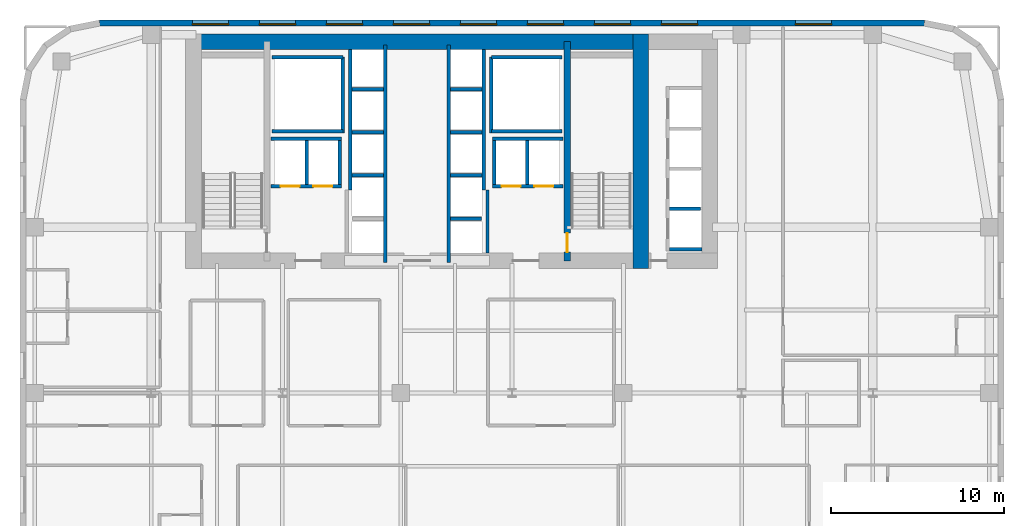
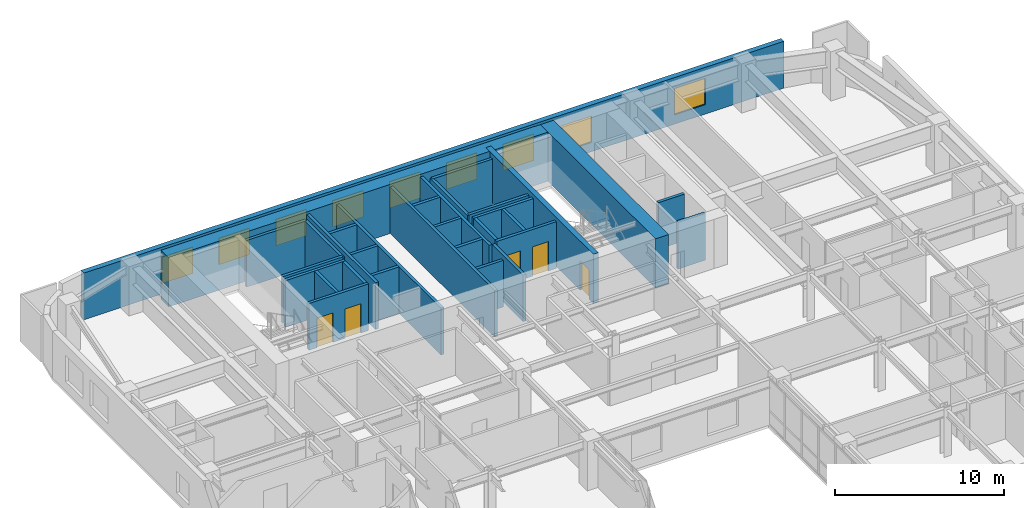
# One storey, part 14 of 16: 32 walls, 9 windows, 5 doors, 14 openings.
"""IFC4 building model written with IfcOpenShell, lengths in metres."""

from ifc_helpers import new_model, si_unit, direction, frame, frame_2d, origin, place, context, subcontext, project, spatial, rectangle, extrude, source, transform, mapped, material, layer, layer_set, type_object, type_shapes, element, fill, save


model = new_model("IFC4")

# Units and contexts
model_context = context("Model", 3, precision=1e-05, world=origin(), true_north=direction((0.0, 1.0)))
body_context = subcontext(model_context, "Body", "Model", "MODEL_VIEW")
ifc_project = project(units=[si_unit("LENGTHUNIT", "METRE"), si_unit("AREAUNIT", "SQUARE_METRE"), si_unit("VOLUMEUNIT", "CUBIC_METRE"), si_unit("PLANEANGLEUNIT", "RADIAN"), si_unit("MASSUNIT", "GRAM", prefix="KILO")], contexts=[model_context])

# Site, building, storey
site_placement = place(None, origin())
site = spatial("IfcSite", under=ifc_project, at=site_placement, CompositionType="ELEMENT")
building_placement = place(site_placement, origin())
building = spatial("IfcBuilding", under=site, at=building_placement, Name="Tolvann Quenvar Hotel", CompositionType="ELEMENT")
storey_placement = place(building_placement, frame((0.0, 0.0, 63.949951171875)))
storey = spatial("IfcBuildingStorey", under=building, at=storey_placement, Name="L15", CompositionType="ELEMENT", Elevation=63.949951171875)

# Walls
ifc_material_1 = material(Name="Concrete S80 (80 MPa)", Category="concrete")
ifc_layer_1 = layer(ifc_material_1, 0.89990234375)
ifc_layer_set_1 = layer_set([ifc_layer_1], Name="Concrete S80 (80 MPa)")
wall_type_1 = type_object("IfcWallType", Name="WALL_CORE_900", PredefinedType="SHEAR", material=ifc_layer_set_1)
wall_1_placement = place(storey_placement, frame((9.60009765625, 44.75, 0.0), z_axis=(0.0, 0.0, 1.0), x_axis=(1.0, 0.0, 0.0)))
element("IfcWall", 1, at=wall_1_placement, inside=storey, type_object=wall_type_1, Name="Rear Core N Shear Wall (L15)", PredefinedType="SHEAR", context=body_context, shape_type="SweptSolid", body=[
    extrude(rectangle(XDim=26.7998046875, YDim=0.89990234375, at=frame_2d((13.39990234375, 0.0))), origin(), (0.0, 0.0, 1.0), 3.550048828125),
])
wall_2_placement = place(storey_placement, frame((35.949951171875, 31.60009765625, 0.0), z_axis=(0.0, 0.0, 1.0), x_axis=(0.0, 1.0, 0.0)))
element("IfcWall", 2, at=wall_2_placement, inside=storey, type_object=wall_type_1, Name="Rear Core E Shear Wall (L15)", PredefinedType="SHEAR", context=body_context, shape_type="SweptSolid", body=[
    extrude(rectangle(XDim=13.599853515625, YDim=0.89990234375, at=frame_2d((6.7998046875, 0.0))), origin(), (0.0, 0.0, 1.0), 3.550048828125),
])

# Wall, opening, door
ifc_material_2 = material(Name="Concrete S65 (65 MPa)", Category="concrete")
ifc_layer_2 = layer(ifc_material_2, 0.35009765625)
ifc_layer_set_2 = layer_set([ifc_layer_2], Name="Concrete S65 (65 MPa)")
wall_type_2 = type_object("IfcWallType", Name="WALL_CORE_INT_350", PredefinedType="SHEAR", material=ifc_layer_set_2)
wall_3_placement = place(storey_placement, frame((31.699951171875, 32.050048828125, 0.0), z_axis=(0.0, 0.0, 1.0), x_axis=(0.0, 1.0, 0.0)))
wall_3 = element("IfcWall", 3, at=wall_3_placement, inside=storey, type_object=wall_type_2, Name="Core Internal Web Shear Wall WEB-E (L15)", PredefinedType="SHEAR", context=body_context, shape_type="SweptSolid", body=[
    extrude(rectangle(XDim=12.699951171875, YDim=0.35009765625, at=frame_2d((6.35009765625, 0.0))), origin(), (0.0, 0.0, 1.0), 3.550048828125),
])
opening_1_placement = place(wall_3_placement, frame((1.60009765625, 0.0, 0.0), z_axis=(0.0, 0.0, 1.0), x_axis=(-1.0, 0.0, 0.0)))
opening_1 = element("IfcOpeningElement", 4, at=opening_1_placement, cuts=wall_3, Name="Opening FD-120", PredefinedType="OPENING", context=body_context, shape_type="SweptSolid", body=[
    extrude(rectangle(XDim=1.10009765625, YDim=2.1201171875, at=frame_2d((0.550048828125, 1.06005859375))), frame((0.0, 0.18505859375, 0.0), z_axis=(0.0, -1.0, 0.0), x_axis=(1.0, 0.0, 0.0)), (0.0, 0.0, 1.0), 0.3701171875),
])
ifc_material_3 = material(Name="Pressed galvanised steel fire-rated door set", Category="steel")
door_type_1 = type_object("IfcDoorType", Name="DOOR_FIRE_STAIR_1100", OperationType="NOTDEFINED", PredefinedType="DOOR", material=ifc_material_3)
shared_shape_1 = source(origin(), body_context, "Body", "SweptSolid", [
    extrude(rectangle(XDim=1.10009765625, YDim=2.1201171875, at=frame_2d((0.550048828125, 1.06005859375))), frame((0.0, 0.02490234375, 0.0), z_axis=(0.0, -1.0, 0.0), x_axis=(1.0, 0.0, 0.0)), (0.0, 0.0, 1.0), 0.050048828125),
])
type_shapes(door_type_1, [shared_shape_1])
door_1_placement = place(opening_1_placement, origin())
door_1 = element("IfcDoor", 5, at=door_1_placement, inside=storey, type_object=door_type_1, Name="Exit Stair ST-C2 Fire Door (L15)", OperationType="SINGLE_SWING_LEFT", OverallHeight=2.1201171875, OverallWidth=1.10009765625, PredefinedType="DOOR", context=body_context, shape_type="MappedRepresentation", body=[
    mapped(shared_shape_1, transform((0.0, 0.0, 0.0), x_axis=(1.0, 0.0, 0.0), y_axis=(0.0, 1.0, 0.0), z_axis=(0.0, 0.0, 1.0), scale=1.0)),
])
fill(opening_1, door_1)

# Wall, openings, windows
ifc_material_4 = material(Name="Kiln-fired red and buff architectural clay brickwork and terracotta masonry", Category="masonry")
ifc_layer_3 = layer(ifc_material_4, 0.35009765625)
ifc_layer_set_3 = layer_set([ifc_layer_3], Name="Kiln-fired red and buff architectural clay brickwork and terracotta masonry")
wall_type_3 = type_object("IfcWallType", Name="WALL_EXT_BRICK_350", PredefinedType="SOLIDWALL", material=ifc_layer_set_3)
wall_4_placement = place(storey_placement, frame((52.3828125, 45.824951171875, 0.0), z_axis=(0.0, 0.0, 1.0), x_axis=(-1.0, 0.0, 0.0)))
wall_4 = element("IfcWall", 6, at=wall_4_placement, inside=storey, type_object=wall_type_3, Name="Exterior Chicago Brick Wall L15-E18", PredefinedType="SOLIDWALL", context=body_context, shape_type="SweptSolid", body=[
    extrude(rectangle(XDim=47.765625, YDim=0.35009765625, at=frame_2d((23.8828125, 0.0))), origin(), (0.0, 0.0, 1.0), 3.3701171875),
])
opening_2_placement = place(wall_4_placement, frame((5.37109375, 0.0, 0.679931640625)))
opening_2 = element("IfcOpeningElement", 7, at=opening_2_placement, cuts=wall_4, Name="Opening W-02", PredefinedType="OPENING", context=body_context, shape_type="SweptSolid", body=[
    extrude(rectangle(XDim=2.10009765625, YDim=1.89990234375, at=frame_2d((1.050048828125, 0.949951171875))), frame((0.0, 0.18505859375, 0.0), z_axis=(0.0, -1.0, 0.0), x_axis=(1.0, 0.0, 0.0)), (0.0, 0.0, 1.0), 0.3701171875),
])
opening_3_placement = place(wall_4_placement, frame((13.132080078125, 0.0, 0.679931640625)))
opening_3 = element("IfcOpeningElement", 8, at=opening_3_placement, cuts=wall_4, Name="Opening W-02", PredefinedType="OPENING", context=body_context, shape_type="SweptSolid", body=[
    extrude(rectangle(XDim=2.10009765625, YDim=1.89990234375, at=frame_2d((1.050048828125, 0.949951171875))), frame((0.0, 0.18505859375, 0.0), z_axis=(0.0, -1.0, 0.0), x_axis=(1.0, 0.0, 0.0)), (0.0, 0.0, 1.0), 0.3701171875),
])
opening_4_placement = place(wall_4_placement, frame((17.011962890625, 0.0, 0.679931640625)))
opening_4 = element("IfcOpeningElement", 9, at=opening_4_placement, cuts=wall_4, Name="Opening W-02", PredefinedType="OPENING", context=body_context, shape_type="SweptSolid", body=[
    extrude(rectangle(XDim=2.10009765625, YDim=1.89990234375, at=frame_2d((1.050048828125, 0.949951171875))), frame((0.0, 0.18505859375, 0.0), z_axis=(0.0, -1.0, 0.0), x_axis=(1.0, 0.0, 0.0)), (0.0, 0.0, 1.0), 0.3701171875),
])
opening_5_placement = place(wall_4_placement, frame((20.89306640625, 0.0, 0.679931640625)))
opening_5 = element("IfcOpeningElement", 10, at=opening_5_placement, cuts=wall_4, Name="Opening W-02", PredefinedType="OPENING", context=body_context, shape_type="SweptSolid", body=[
    extrude(rectangle(XDim=2.10009765625, YDim=1.89990234375, at=frame_2d((1.050048828125, 0.949951171875))), frame((0.0, 0.18505859375, 0.0), z_axis=(0.0, -1.0, 0.0), x_axis=(1.0, 0.0, 0.0)), (0.0, 0.0, 1.0), 0.3701171875),
])
opening_6_placement = place(wall_4_placement, frame((24.77294921875, 0.0, 0.679931640625)))
opening_6 = element("IfcOpeningElement", 11, at=opening_6_placement, cuts=wall_4, Name="Opening W-02", PredefinedType="OPENING", context=body_context, shape_type="SweptSolid", body=[
    extrude(rectangle(XDim=2.10009765625, YDim=1.89990234375, at=frame_2d((1.050048828125, 0.949951171875))), frame((0.0, 0.18505859375, 0.0), z_axis=(0.0, -1.0, 0.0), x_axis=(1.0, 0.0, 0.0)), (0.0, 0.0, 1.0), 0.3701171875),
])
opening_7_placement = place(wall_4_placement, frame((28.654052734375, 0.0, 0.679931640625)))
opening_7 = element("IfcOpeningElement", 12, at=opening_7_placement, cuts=wall_4, Name="Opening W-02", PredefinedType="OPENING", context=body_context, shape_type="SweptSolid", body=[
    extrude(rectangle(XDim=2.10009765625, YDim=1.89990234375, at=frame_2d((1.050048828125, 0.949951171875))), frame((0.0, 0.18505859375, 0.0), z_axis=(0.0, -1.0, 0.0), x_axis=(1.0, 0.0, 0.0)), (0.0, 0.0, 1.0), 0.3701171875),
])
opening_8_placement = place(wall_4_placement, frame((32.533935546875, 0.0, 0.679931640625)))
opening_8 = element("IfcOpeningElement", 13, at=opening_8_placement, cuts=wall_4, Name="Opening W-02", PredefinedType="OPENING", context=body_context, shape_type="SweptSolid", body=[
    extrude(rectangle(XDim=2.10009765625, YDim=1.89990234375, at=frame_2d((1.050048828125, 0.949951171875))), frame((0.0, 0.18505859375, 0.0), z_axis=(0.0, -1.0, 0.0), x_axis=(1.0, 0.0, 0.0)), (0.0, 0.0, 1.0), 0.3701171875),
])
opening_9_placement = place(wall_4_placement, frame((36.4140625, 0.0, 0.679931640625)))
opening_9 = element("IfcOpeningElement", 14, at=opening_9_placement, cuts=wall_4, Name="Opening W-02", PredefinedType="OPENING", context=body_context, shape_type="SweptSolid", body=[
    extrude(rectangle(XDim=2.10009765625, YDim=1.89990234375, at=frame_2d((1.050048828125, 0.949951171875))), frame((0.0, 0.18505859375, 0.0), z_axis=(0.0, -1.0, 0.0), x_axis=(1.0, 0.0, 0.0)), (0.0, 0.0, 1.0), 0.3701171875),
])
opening_10_placement = place(wall_4_placement, frame((40.294921875, 0.0, 0.679931640625)))
opening_10 = element("IfcOpeningElement", 15, at=opening_10_placement, cuts=wall_4, Name="Opening W-02", PredefinedType="OPENING", context=body_context, shape_type="SweptSolid", body=[
    extrude(rectangle(XDim=2.10009765625, YDim=1.89990234375, at=frame_2d((1.050048828125, 0.949951171875))), frame((0.0, 0.18505859375, 0.0), z_axis=(0.0, -1.0, 0.0), x_axis=(1.0, 0.0, 0.0)), (0.0, 0.0, 1.0), 0.3701171875),
])
ifc_material_5 = material(Name="Thermally broken bronze-anodised aluminium frame with double low-E glazing", Category="aluminium")
window_type = type_object("IfcWindowType", Name="WIN_CHI_2100x2050", PartitioningType="TRIPLE_PANEL_HORIZONTAL", PredefinedType="WINDOW", material=ifc_material_5)
shared_shape_2 = source(origin(), body_context, "Body", "SweptSolid", [
    extrude(rectangle(XDim=2.10009765625, YDim=1.89990234375, at=frame_2d((1.050048828125, 0.949951171875))), frame((0.0, 0.090087890625, 0.0), z_axis=(0.0, -1.0, 0.0), x_axis=(1.0, 0.0, 0.0)), (0.0, 0.0, 1.0), 0.06005859375),
])
type_shapes(window_type, [shared_shape_2])
window_1_placement = place(opening_2_placement, origin())
window_1 = element("IfcWindow", 16, at=window_1_placement, inside=storey, type_object=window_type, Name="Chicago Window W-02 (EW-L15-E18-W01)", OverallHeight=1.89990234375, OverallWidth=2.10009765625, PartitioningType="TRIPLE_PANEL_HORIZONTAL", PredefinedType="WINDOW", context=body_context, shape_type="MappedRepresentation", body=[
    mapped(shared_shape_2, transform((0.0, 0.0, 0.0), x_axis=(1.0, 0.0, 0.0), y_axis=(0.0, 1.0, 0.0), z_axis=(0.0, 0.0, 1.0), scale=1.0)),
])
fill(opening_2, window_1)
window_2_placement = place(opening_3_placement, origin())
window_2 = element("IfcWindow", 17, at=window_2_placement, inside=storey, type_object=window_type, Name="Chicago Window W-02 (EW-L15-E18-W02)", OverallHeight=1.89990234375, OverallWidth=2.10009765625, PartitioningType="TRIPLE_PANEL_HORIZONTAL", PredefinedType="WINDOW", context=body_context, shape_type="MappedRepresentation", body=[
    mapped(shared_shape_2, transform((0.0, 0.0, 0.0), x_axis=(1.0, 0.0, 0.0), y_axis=(0.0, 1.0, 0.0), z_axis=(0.0, 0.0, 1.0), scale=1.0)),
])
fill(opening_3, window_2)
window_3_placement = place(opening_4_placement, origin())
window_3 = element("IfcWindow", 18, at=window_3_placement, inside=storey, type_object=window_type, Name="Chicago Window W-02 (EW-L15-E18-W03)", OverallHeight=1.89990234375, OverallWidth=2.10009765625, PartitioningType="TRIPLE_PANEL_HORIZONTAL", PredefinedType="WINDOW", context=body_context, shape_type="MappedRepresentation", body=[
    mapped(shared_shape_2, transform((0.0, 0.0, 0.0), x_axis=(1.0, 0.0, 0.0), y_axis=(0.0, 1.0, 0.0), z_axis=(0.0, 0.0, 1.0), scale=1.0)),
])
fill(opening_4, window_3)
window_4_placement = place(opening_5_placement, origin())
window_4 = element("IfcWindow", 19, at=window_4_placement, inside=storey, type_object=window_type, Name="Chicago Window W-02 (EW-L15-E18-W04)", OverallHeight=1.89990234375, OverallWidth=2.10009765625, PartitioningType="TRIPLE_PANEL_HORIZONTAL", PredefinedType="WINDOW", context=body_context, shape_type="MappedRepresentation", body=[
    mapped(shared_shape_2, transform((0.0, 0.0, 0.0), x_axis=(1.0, 0.0, 0.0), y_axis=(0.0, 1.0, 0.0), z_axis=(0.0, 0.0, 1.0), scale=1.0)),
])
fill(opening_5, window_4)
window_5_placement = place(opening_6_placement, origin())
window_5 = element("IfcWindow", 20, at=window_5_placement, inside=storey, type_object=window_type, Name="Chicago Window W-02 (EW-L15-E18-W05)", OverallHeight=1.89990234375, OverallWidth=2.10009765625, PartitioningType="TRIPLE_PANEL_HORIZONTAL", PredefinedType="WINDOW", context=body_context, shape_type="MappedRepresentation", body=[
    mapped(shared_shape_2, transform((0.0, 0.0, 0.0), x_axis=(1.0, 0.0, 0.0), y_axis=(0.0, 1.0, 0.0), z_axis=(0.0, 0.0, 1.0), scale=1.0)),
])
fill(opening_6, window_5)
window_6_placement = place(opening_7_placement, origin())
window_6 = element("IfcWindow", 21, at=window_6_placement, inside=storey, type_object=window_type, Name="Chicago Window W-02 (EW-L15-E18-W06)", OverallHeight=1.89990234375, OverallWidth=2.10009765625, PartitioningType="TRIPLE_PANEL_HORIZONTAL", PredefinedType="WINDOW", context=body_context, shape_type="MappedRepresentation", body=[
    mapped(shared_shape_2, transform((0.0, 0.0, 0.0), x_axis=(1.0, 0.0, 0.0), y_axis=(0.0, 1.0, 0.0), z_axis=(0.0, 0.0, 1.0), scale=1.0)),
])
fill(opening_7, window_6)
window_7_placement = place(opening_8_placement, origin())
window_7 = element("IfcWindow", 22, at=window_7_placement, inside=storey, type_object=window_type, Name="Chicago Window W-02 (EW-L15-E18-W07)", OverallHeight=1.89990234375, OverallWidth=2.10009765625, PartitioningType="TRIPLE_PANEL_HORIZONTAL", PredefinedType="WINDOW", context=body_context, shape_type="MappedRepresentation", body=[
    mapped(shared_shape_2, transform((0.0, 0.0, 0.0), x_axis=(1.0, 0.0, 0.0), y_axis=(0.0, 1.0, 0.0), z_axis=(0.0, 0.0, 1.0), scale=1.0)),
])
fill(opening_8, window_7)
window_8_placement = place(opening_9_placement, origin())
window_8 = element("IfcWindow", 23, at=window_8_placement, inside=storey, type_object=window_type, Name="Chicago Window W-02 (EW-L15-E18-W08)", OverallHeight=1.89990234375, OverallWidth=2.10009765625, PartitioningType="TRIPLE_PANEL_HORIZONTAL", PredefinedType="WINDOW", context=body_context, shape_type="MappedRepresentation", body=[
    mapped(shared_shape_2, transform((0.0, 0.0, 0.0), x_axis=(1.0, 0.0, 0.0), y_axis=(0.0, 1.0, 0.0), z_axis=(0.0, 0.0, 1.0), scale=1.0)),
])
fill(opening_9, window_8)
window_9_placement = place(opening_10_placement, origin())
window_9 = element("IfcWindow", 24, at=window_9_placement, inside=storey, type_object=window_type, Name="Chicago Window W-02 (EW-L15-E18-W09)", OverallHeight=1.89990234375, OverallWidth=2.10009765625, PartitioningType="TRIPLE_PANEL_HORIZONTAL", PredefinedType="WINDOW", context=body_context, shape_type="MappedRepresentation", body=[
    mapped(shared_shape_2, transform((0.0, 0.0, 0.0), x_axis=(1.0, 0.0, 0.0), y_axis=(0.0, 1.0, 0.0), z_axis=(0.0, 0.0, 1.0), scale=1.0)),
])
fill(opening_10, window_9)

# Walls
ifc_material_6 = material(Name="Concrete N40 (40 MPa)", Category="concrete")
ifc_layer_4 = layer(ifc_material_6, 0.199951171875)
ifc_layer_set_4 = layer_set([ifc_layer_4], Name="Concrete N40 (40 MPa)")
wall_type_4 = type_object("IfcWallType", Name="WALL_SHAFT_200", PredefinedType="SOLIDWALL", material=ifc_layer_set_4)
wall_5_placement = place(storey_placement, frame((18.699951171875, 39.449951171875, 0.0), z_axis=(0.0, 0.0, 1.0), x_axis=(0.0, 1.0, 0.0)))
element("IfcWall", 25, at=wall_5_placement, inside=storey, type_object=wall_type_4, Name="Service Riser W Shaft Wall IN (L15)", PredefinedType="SOLIDWALL", context=body_context, shape_type="SweptSolid", body=[
    extrude(rectangle(XDim=4.400146484375, YDim=0.199951171875, at=frame_2d((2.2001953125, 0.0))), origin(), (0.0, 0.0, 1.0), 3.3701171875),
])
for number, where, z_axis, x_axis, name in (
    (26, (14.60009765625, 39.550048828125, 0.0), (0.0, 0.0, 1.0), (1.0, 0.0, 0.0), "Service Riser W Shaft Wall S (L15)"),
    (27, (14.60009765625, 43.85009765625, 0.0), (0.0, 0.0, 1.0), (1.0, 0.0, 0.0), "Service Riser W Shaft Wall N (L15)"),
):
    element("IfcWall", number, at=place(storey_placement, frame(where, z_axis=z_axis, x_axis=x_axis)), inside=storey, type_object=wall_type_4, Name=name, PredefinedType="SOLIDWALL", context=body_context, shape_type="SweptSolid", body=[
        extrude(rectangle(XDim=4.099853515625, YDim=0.199951171875, at=frame_2d((2.0498046875, 0.0))), origin(), (0.0, 0.0, 1.0), 3.3701171875),
    ])
wall_6_placement = place(storey_placement, frame((27.300048828125, 39.449951171875, 0.0), z_axis=(0.0, 0.0, 1.0), x_axis=(0.0, 1.0, 0.0)))
element("IfcWall", 28, at=wall_6_placement, inside=storey, type_object=wall_type_4, Name="Service Riser E Shaft Wall IN (L15)", PredefinedType="SOLIDWALL", context=body_context, shape_type="SweptSolid", body=[
    extrude(rectangle(XDim=4.400146484375, YDim=0.199951171875, at=frame_2d((2.2001953125, 0.0))), origin(), (0.0, 0.0, 1.0), 3.3701171875),
])
for number, where, z_axis, x_axis, name in (
    (29, (27.300048828125, 39.550048828125, 0.0), (0.0, 0.0, 1.0), (1.0, 0.0, 0.0), "Service Riser E Shaft Wall S (L15)"),
    (30, (27.300048828125, 43.85009765625, 0.0), (0.0, 0.0, 1.0), (1.0, 0.0, 0.0), "Service Riser E Shaft Wall N (L15)"),
):
    element("IfcWall", number, at=place(storey_placement, frame(where, z_axis=z_axis, x_axis=x_axis)), inside=storey, type_object=wall_type_4, Name=name, PredefinedType="SOLIDWALL", context=body_context, shape_type="SweptSolid", body=[
        extrude(rectangle(XDim=4.099853515625, YDim=0.199951171875, at=frame_2d((2.0498046875, 0.0))), origin(), (0.0, 0.0, 1.0), 3.3701171875),
    ])
wall_7_placement = place(storey_placement, frame((27.080078125, 32.50390625, 0.0), z_axis=(0.0, 0.0, 1.0), x_axis=(0.0, 1.0, 0.0)))
element("IfcWall", 31, at=wall_7_placement, inside=storey, type_object=wall_type_4, Name="Firefighting Lobby E Inner Fire Wall (L15)", PredefinedType="SOLIDWALL", context=body_context, shape_type="SweptSolid", body=[
    extrude(rectangle(XDim=3.64599609375, YDim=0.199951171875, at=frame_2d((1.822998046875, 0.0))), origin(), (0.0, 0.0, 1.0), 3.3701171875),
])
wall_8_placement = place(storey_placement, frame((21.169921875, 31.9599609375, 0.0), z_axis=(0.0, 0.0, 1.0), x_axis=(0.0, 1.0, 0.0)))
element("IfcWall", 32, at=wall_8_placement, inside=storey, type_object=wall_type_4, Name="Lift Bank E21.1C1 Hoistway Front Wall (L15)", PredefinedType="SOLIDWALL", context=body_context, shape_type="SweptSolid", body=[
    extrude(rectangle(XDim=12.580078125, YDim=0.199951171875, at=frame_2d((6.2900390625, 0.0))), origin(), (0.0, 0.0, 1.0), 3.3701171875),
])
wall_9_placement = place(storey_placement, frame((19.1298828125, 36.159912109375, 0.0), z_axis=(0.0, 0.0, 1.0), x_axis=(0.0, 1.0, 0.0)))
element("IfcWall", 33, at=wall_9_placement, inside=storey, type_object=wall_type_4, Name="Lift Bank E21.1C1 Hoistway Rear Wall (L15)", PredefinedType="SOLIDWALL", context=body_context, shape_type="SweptSolid", body=[
    extrude(rectangle(XDim=8.135986328125, YDim=0.199951171875, at=frame_2d((4.06787109375, 0.0))), origin(), (0.0, 0.0, 1.0), 3.3701171875),
])
for number, where, z_axis, x_axis, name in (
    (34, (19.22998046875, 37.0, 0.0), (0.0, 0.0, 1.0), (1.0, 0.0, 0.0), "Lift Bank E21.1C1 Divider Wall 2 (L15)"),
    (35, (19.22998046875, 39.5, 0.0), (0.0, 0.0, 1.0), (1.0, 0.0, 0.0), "Lift Bank E21.1C1 Divider Wall 3 (L15)"),
    (36, (19.22998046875, 42.0, 0.0), (0.0, 0.0, 1.0), (1.0, 0.0, 0.0), "Lift Bank E21.1C1 Divider Wall 4 (L15)"),
):
    element("IfcWall", number, at=place(storey_placement, frame(where, z_axis=z_axis, x_axis=x_axis)), inside=storey, type_object=wall_type_4, Name=name, PredefinedType="SOLIDWALL", context=body_context, shape_type="SweptSolid", body=[
        extrude(rectangle(XDim=1.840087890625, YDim=0.199951171875, at=frame_2d((0.919921875, 0.0))), origin(), (0.0, 0.0, 1.0), 3.3701171875),
    ])

# Wall, openings, doors
wall_10_placement = place(storey_placement, frame((27.375, 36.3798828125, 0.0), z_axis=(0.0, 0.0, 1.0), x_axis=(1.0, 0.0, 0.0)))
wall_10 = element("IfcWall", 37, at=wall_10_placement, inside=storey, type_object=wall_type_4, Name="Lift Bank SEC1 Hoistway Front Wall (L15)", PredefinedType="SOLIDWALL", context=body_context, shape_type="SweptSolid", body=[
    extrude(rectangle(XDim=4.074951171875, YDim=0.199951171875, at=frame_2d((2.03759765625, 0.0))), origin(), (0.0, 0.0, 1.0), 3.3701171875),
])
opening_11_placement = place(wall_10_placement, frame((0.52490234375, 0.0, 0.0)))
opening_11 = element("IfcOpeningElement", 38, at=opening_11_placement, cuts=wall_10, Name="Opening LD-01", PredefinedType="OPENING", context=body_context, shape_type="SweptSolid", body=[
    extrude(rectangle(XDim=1.10009765625, YDim=2.1201171875, at=frame_2d((0.550048828125, 1.06005859375))), frame((0.0, 0.10986328125, 0.0), z_axis=(0.0, -1.0, 0.0), x_axis=(1.0, 0.0, 0.0)), (0.0, 0.0, 1.0), 0.219970703125),
])
opening_12_placement = place(wall_10_placement, frame((2.425048828125, 0.0, 0.0)))
opening_12 = element("IfcOpeningElement", 39, at=opening_12_placement, cuts=wall_10, Name="Opening LD-01", PredefinedType="OPENING", context=body_context, shape_type="SweptSolid", body=[
    extrude(rectangle(XDim=1.10009765625, YDim=2.1201171875, at=frame_2d((0.550048828125, 1.06005859375))), frame((0.0, 0.10986328125, 0.0), z_axis=(0.0, -1.0, 0.0), x_axis=(1.0, 0.0, 0.0)), (0.0, 0.0, 1.0), 0.219970703125),
])
ifc_material_7 = material(Name="Brushed 316 stainless steel automatic sliding lift landing door", Category="steel")
door_type_2 = type_object("IfcDoorType", Name="DOOR_LIFT_SLIDE_1100", OperationType="NOTDEFINED", PredefinedType="DOOR", material=ifc_material_7)
shared_shape_3 = source(origin(), body_context, "Body", "SweptSolid", [
    extrude(rectangle(XDim=1.10009765625, YDim=2.1201171875, at=frame_2d((0.550048828125, 1.06005859375))), frame((0.0, 0.02490234375, 0.0), z_axis=(0.0, -1.0, 0.0), x_axis=(1.0, 0.0, 0.0)), (0.0, 0.0, 1.0), 0.050048828125),
])
type_shapes(door_type_2, [shared_shape_3])
door_2_placement = place(opening_11_placement, origin())
door_2 = element("IfcDoor", 40, at=door_2_placement, inside=storey, type_object=door_type_2, Name="Lift SV-2 Sliding Landing Door (L15)", OperationType="SLIDING_TO_LEFT", OverallHeight=2.1201171875, OverallWidth=1.10009765625, PredefinedType="DOOR", context=body_context, shape_type="MappedRepresentation", body=[
    mapped(shared_shape_3, transform((0.0, 0.0, 0.0), x_axis=(1.0, 0.0, 0.0), y_axis=(0.0, 1.0, 0.0), z_axis=(0.0, 0.0, 1.0), scale=1.0)),
])
fill(opening_11, door_2)
door_3_placement = place(opening_12_placement, origin())
door_3 = element("IfcDoor", 41, at=door_3_placement, inside=storey, type_object=door_type_2, Name="Lift FF-2 Sliding Landing Door (L15)", OperationType="SLIDING_TO_RIGHT", OverallHeight=2.1201171875, OverallWidth=1.10009765625, PredefinedType="DOOR", context=body_context, shape_type="MappedRepresentation", body=[
    mapped(shared_shape_3, transform((0.0, 0.0, 0.0), x_axis=(1.0, 0.0, 0.0), y_axis=(0.0, 1.0, 0.0), z_axis=(0.0, 0.0, 1.0), scale=1.0)),
])
fill(opening_12, door_3)

# Walls
wall_11_placement = place(storey_placement, frame((27.375, 39.1201171875, 0.0), z_axis=(0.0, 0.0, 1.0), x_axis=(1.0, 0.0, 0.0)))
element("IfcWall", 42, at=wall_11_placement, inside=storey, type_object=wall_type_4, Name="Lift Bank SEC1 Hoistway Rear Wall (L15)", PredefinedType="SOLIDWALL", context=body_context, shape_type="SweptSolid", body=[
    extrude(rectangle(XDim=4.074951171875, YDim=0.199951171875, at=frame_2d((2.03759765625, 0.0))), origin(), (0.0, 0.0, 1.0), 3.3701171875),
])
for number, where, z_axis, x_axis, name in (
    (43, (27.47509765625, 36.47998046875, 0.0), (0.0, 0.0, 1.0), (0.0, 1.0, 0.0), "Lift Bank SEC1 Hoistway Cheek Wall 1 (L15)"),
    (44, (29.387451171875, 36.47998046875, 0.0), (0.0, 0.0, 1.0), (0.0, 1.0, 0.0), "Lift Bank SEC1 Divider Wall 1 (L15)"),
):
    element("IfcWall", number, at=place(storey_placement, frame(where, z_axis=z_axis, x_axis=x_axis)), inside=storey, type_object=wall_type_4, Name=name, PredefinedType="SOLIDWALL", context=body_context, shape_type="SweptSolid", body=[
        extrude(rectangle(XDim=2.5400390625, YDim=0.199951171875, at=frame_2d((1.27001953125, 0.0))), origin(), (0.0, 0.0, 1.0), 3.3701171875),
    ])

# Wall, openings, doors
wall_12_placement = place(storey_placement, frame((14.550048828125, 36.3798828125, 0.0), z_axis=(0.0, 0.0, 1.0), x_axis=(1.0, 0.0, 0.0)))
wall_12 = element("IfcWall", 45, at=wall_12_placement, inside=storey, type_object=wall_type_4, Name="Lift Bank SWC1 Hoistway Front Wall (L15)", PredefinedType="SOLIDWALL", context=body_context, shape_type="SweptSolid", body=[
    extrude(rectangle(XDim=4.074951171875, YDim=0.199951171875, at=frame_2d((2.03759765625, 0.0))), origin(), (0.0, 0.0, 1.0), 3.3701171875),
])
opening_13_placement = place(wall_12_placement, frame((0.550048828125, 0.0, 0.0)))
opening_13 = element("IfcOpeningElement", 46, at=opening_13_placement, cuts=wall_12, Name="Opening LD-01", PredefinedType="OPENING", context=body_context, shape_type="SweptSolid", body=[
    extrude(rectangle(XDim=1.10009765625, YDim=2.1201171875, at=frame_2d((0.550048828125, 1.06005859375))), frame((0.0, 0.10986328125, 0.0), z_axis=(0.0, -1.0, 0.0), x_axis=(1.0, 0.0, 0.0)), (0.0, 0.0, 1.0), 0.219970703125),
])
opening_14_placement = place(wall_12_placement, frame((2.449951171875, 0.0, 0.0)))
opening_14 = element("IfcOpeningElement", 47, at=opening_14_placement, cuts=wall_12, Name="Opening LD-01", PredefinedType="OPENING", context=body_context, shape_type="SweptSolid", body=[
    extrude(rectangle(XDim=1.10009765625, YDim=2.1201171875, at=frame_2d((0.550048828125, 1.06005859375))), frame((0.0, 0.10986328125, 0.0), z_axis=(0.0, -1.0, 0.0), x_axis=(1.0, 0.0, 0.0)), (0.0, 0.0, 1.0), 0.219970703125),
])
door_4_placement = place(opening_13_placement, origin())
door_4 = element("IfcDoor", 48, at=door_4_placement, inside=storey, type_object=door_type_2, Name="Lift FF-1 Sliding Landing Door (L15)", OperationType="SLIDING_TO_LEFT", OverallHeight=2.1201171875, OverallWidth=1.10009765625, PredefinedType="DOOR", context=body_context, shape_type="MappedRepresentation", body=[
    mapped(shared_shape_3, transform((0.0, 0.0, 0.0), x_axis=(1.0, 0.0, 0.0), y_axis=(0.0, 1.0, 0.0), z_axis=(0.0, 0.0, 1.0), scale=1.0)),
])
fill(opening_13, door_4)
door_5_placement = place(opening_14_placement, origin())
door_5 = element("IfcDoor", 49, at=door_5_placement, inside=storey, type_object=door_type_2, Name="Lift SV-1 Sliding Landing Door (L15)", OperationType="SLIDING_TO_RIGHT", OverallHeight=2.1201171875, OverallWidth=1.10009765625, PredefinedType="DOOR", context=body_context, shape_type="MappedRepresentation", body=[
    mapped(shared_shape_3, transform((0.0, 0.0, 0.0), x_axis=(1.0, 0.0, 0.0), y_axis=(0.0, 1.0, 0.0), z_axis=(0.0, 0.0, 1.0), scale=1.0)),
])
fill(opening_14, door_5)

# Walls
wall_13_placement = place(storey_placement, frame((14.550048828125, 39.1201171875, 0.0), z_axis=(0.0, 0.0, 1.0), x_axis=(1.0, 0.0, 0.0)))
element("IfcWall", 50, at=wall_13_placement, inside=storey, type_object=wall_type_4, Name="Lift Bank SWC1 Hoistway Rear Wall (L15)", PredefinedType="SOLIDWALL", context=body_context, shape_type="SweptSolid", body=[
    extrude(rectangle(XDim=4.074951171875, YDim=0.199951171875, at=frame_2d((2.03759765625, 0.0))), origin(), (0.0, 0.0, 1.0), 3.3701171875),
])
for number, where, z_axis, x_axis, name in (
    (51, (18.52490234375, 36.47998046875, 0.0), (0.0, 0.0, 1.0), (0.0, 1.0, 0.0), "Lift Bank SWC1 Hoistway Cheek Wall 2 (L15)"),
    (52, (16.612548828125, 36.47998046875, 0.0), (0.0, 0.0, 1.0), (0.0, 1.0, 0.0), "Lift Bank SWC1 Divider Wall 1 (L15)"),
):
    element("IfcWall", number, at=place(storey_placement, frame(where, z_axis=z_axis, x_axis=x_axis)), inside=storey, type_object=wall_type_4, Name=name, PredefinedType="SOLIDWALL", context=body_context, shape_type="SweptSolid", body=[
        extrude(rectangle(XDim=2.5400390625, YDim=0.199951171875, at=frame_2d((1.27001953125, 0.0))), origin(), (0.0, 0.0, 1.0), 3.3701171875),
    ])
wall_14_placement = place(storey_placement, frame((24.830078125, 31.9599609375, 0.0), z_axis=(0.0, 0.0, 1.0), x_axis=(0.0, 1.0, 0.0)))
element("IfcWall", 53, at=wall_14_placement, inside=storey, type_object=wall_type_4, Name="Lift Bank W24.9C1 Hoistway Front Wall (L15)", PredefinedType="SOLIDWALL", context=body_context, shape_type="SweptSolid", body=[
    extrude(rectangle(XDim=12.580078125, YDim=0.199951171875, at=frame_2d((6.2900390625, 0.0))), origin(), (0.0, 0.0, 1.0), 3.3701171875),
])
wall_15_placement = place(storey_placement, frame((26.8701171875, 36.159912109375, 0.0), z_axis=(0.0, 0.0, 1.0), x_axis=(0.0, 1.0, 0.0)))
element("IfcWall", 54, at=wall_15_placement, inside=storey, type_object=wall_type_4, Name="Lift Bank W24.9C1 Hoistway Rear Wall (L15)", PredefinedType="SOLIDWALL", context=body_context, shape_type="SweptSolid", body=[
    extrude(rectangle(XDim=8.135986328125, YDim=0.199951171875, at=frame_2d((4.06787109375, 0.0))), origin(), (0.0, 0.0, 1.0), 3.3701171875),
])
wall_16_placement = place(storey_placement, frame((24.929931640625, 34.5, 0.0), z_axis=(0.0, 0.0, 1.0), x_axis=(1.0, 0.0, 0.0)))
element("IfcWall", 55, at=wall_16_placement, inside=storey, type_object=wall_type_4, Name="Lift Bank W24.9C1 Divider Wall 1 (L15)", PredefinedType="SOLIDWALL", context=body_context, shape_type="SweptSolid", body=[
    extrude(rectangle(XDim=1.800048828125, YDim=0.199951171875, at=frame_2d((0.89990234375, 0.0))), origin(), (0.0, 0.0, 1.0), 3.3701171875),
])
for number, where, z_axis, x_axis, name in (
    (56, (24.929931640625, 37.0, 0.0), (0.0, 0.0, 1.0), (1.0, 0.0, 0.0), "Lift Bank W24.9C1 Divider Wall 2 (L15)"),
    (57, (24.929931640625, 39.5, 0.0), (0.0, 0.0, 1.0), (1.0, 0.0, 0.0), "Lift Bank W24.9C1 Divider Wall 3 (L15)"),
    (58, (24.929931640625, 42.0, 0.0), (0.0, 0.0, 1.0), (1.0, 0.0, 0.0), "Lift Bank W24.9C1 Divider Wall 4 (L15)"),
):
    element("IfcWall", number, at=place(storey_placement, frame(where, z_axis=z_axis, x_axis=x_axis)), inside=storey, type_object=wall_type_4, Name=name, PredefinedType="SOLIDWALL", context=body_context, shape_type="SweptSolid", body=[
        extrude(rectangle(XDim=1.840087890625, YDim=0.199951171875, at=frame_2d((0.919921875, 0.0))), origin(), (0.0, 0.0, 1.0), 3.3701171875),
    ])
wall_17_placement = place(storey_placement, frame((37.6298828125, 32.7099609375, 0.0), z_axis=(0.0, 0.0, 1.0), x_axis=(1.0, 0.0, 0.0)))
element("IfcWall", 59, at=wall_17_placement, inside=storey, type_object=wall_type_4, Name="Lift Bank W37.6C1 Hoistway Cheek Wall 1 (L15)", PredefinedType="SOLIDWALL", context=body_context, shape_type="SweptSolid", body=[
    extrude(rectangle(XDim=1.8701171875, YDim=0.199951171875, at=frame_2d((0.93505859375, 0.0))), origin(), (0.0, 0.0, 1.0), 3.3701171875),
])
wall_18_placement = place(storey_placement, frame((37.6298828125, 35.06005859375, 0.0), z_axis=(0.0, 0.0, 1.0), x_axis=(1.0, 0.0, 0.0)))
element("IfcWall", 60, at=wall_18_placement, inside=storey, type_object=wall_type_4, Name="Lift Bank W37.6C1 Divider Wall 1 (L15)", PredefinedType="SOLIDWALL", context=body_context, shape_type="SweptSolid", body=[
    extrude(rectangle(XDim=1.800048828125, YDim=0.199951171875, at=frame_2d((0.89990234375, 0.0))), origin(), (0.0, 0.0, 1.0), 3.3701171875),
])

save(model, "model.ifc")
